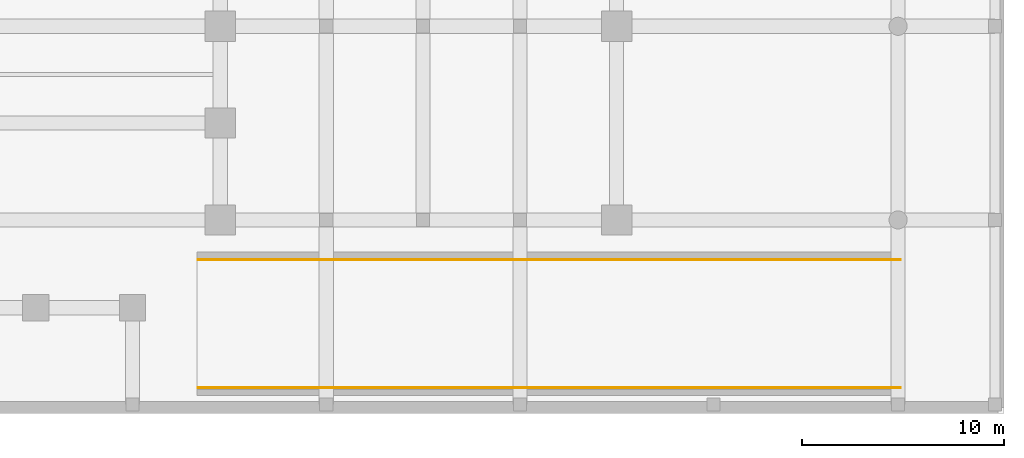
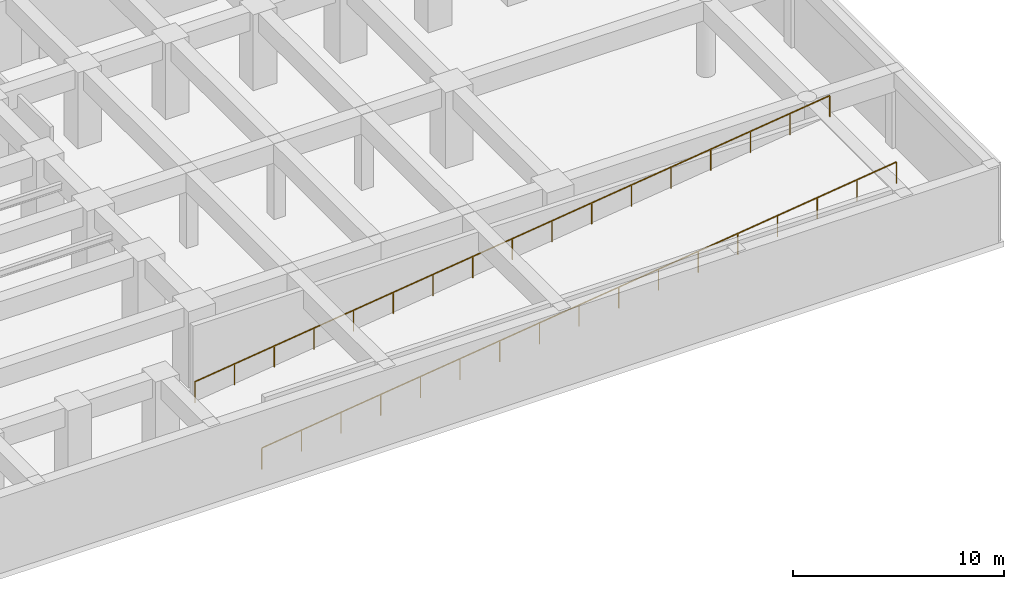
# One storey, part 5 of 6: 2 railings.
"""IFC4 building model written with IfcOpenShell, lengths in metres."""

from ifc_helpers import new_model, si_unit, direction, frame, origin, origin_2d, place, context, subcontext, project, spatial, rectangle, extrude, material, type_object, element, save


model = new_model("IFC4")

# Units and contexts
model_context = context("Model", 3, precision=1e-05, world=origin(), true_north=direction((0.0, 1.0)))
body_context = subcontext(model_context, "Body", "Model", "MODEL_VIEW")
ifc_project = project(units=[si_unit("LENGTHUNIT", "METRE"), si_unit("AREAUNIT", "SQUARE_METRE"), si_unit("VOLUMEUNIT", "CUBIC_METRE"), si_unit("PLANEANGLEUNIT", "RADIAN"), si_unit("MASSUNIT", "GRAM", prefix="KILO")], contexts=[model_context])

# Site, building, storey
site_placement = place(None, origin())
site = spatial("IfcSite", under=ifc_project, at=site_placement, CompositionType="ELEMENT")
building_placement = place(site_placement, origin())
building = spatial("IfcBuilding", under=site, at=building_placement, Name="Orvandelia Arch Residences", CompositionType="ELEMENT")
storey_placement = place(building_placement, frame((0.0, 0.0, -4.39990234375)))
storey = spatial("IfcBuildingStorey", under=building, at=storey_placement, Name="B1", CompositionType="ELEMENT", Elevation=-4.39990234375)

# Railings
ifc_material = material(Name="Marine-Grade Stainless Steel 316", Category="steel")
railing_type = type_object("IfcRailingType", Name="GRD-TERR-1250", PredefinedType="GUARDRAIL", material=ifc_material)
railing_1_placement = place(storey_placement, frame((22.449951171875, 1.280029296875, 0.0)))
element("IfcRailing", 1, at=railing_1_placement, inside=storey, type_object=railing_type, Name="Vehicle Ramp South Safety Barrier B1", PredefinedType="GUARDRAIL", context=body_context, shape_type="SweptSolid", body=[
    extrude(rectangle(XDim=0.048095703125, YDim=0.048095703125, at=origin_2d()), frame((0.0, 0.0, 1.22607421875), z_axis=(0.992101814582, 0.0, 0.125435200415), x_axis=(0.0, 1.0, 0.0)), (0.0, 0.0, 1.0), 35.0771484375),
    extrude(rectangle(XDim=0.0419921875, YDim=0.0419921875, at=origin_2d()), origin(), (0.0, 0.0, 1.0), 1.201904296875),
    extrude(rectangle(XDim=0.0419921875, YDim=0.0419921875, at=origin_2d()), frame((2.175048828125, 0.0, 0.27490234375)), (0.0, 0.0, 1.0), 1.201904296875),
    extrude(rectangle(XDim=0.0419921875, YDim=0.0419921875, at=origin_2d()), frame((4.35009765625, 0.0, 0.550048828125)), (0.0, 0.0, 1.0), 1.201904296875),
    extrude(rectangle(XDim=0.0419921875, YDim=0.0419921875, at=origin_2d()), frame((6.52490234375, 0.0, 0.824951171875)), (0.0, 0.0, 1.0), 1.201904296875),
    extrude(rectangle(XDim=0.0419921875, YDim=0.0419921875, at=origin_2d()), frame((8.699951171875, 0.0, 1.10009765625)), (0.0, 0.0, 1.0), 1.201904296875),
    extrude(rectangle(XDim=0.0419921875, YDim=0.0419921875, at=origin_2d()), frame((10.875, 0.0, 1.375)), (0.0, 0.0, 1.0), 1.201904296875),
    extrude(rectangle(XDim=0.0419921875, YDim=0.0419921875, at=origin_2d()), frame((13.050048828125, 0.0, 1.64990234375)), (0.0, 0.0, 1.0), 1.201904296875),
    extrude(rectangle(XDim=0.0419921875, YDim=0.0419921875, at=origin_2d()), frame((15.22509765625, 0.0, 1.925048828125)), (0.0, 0.0, 1.0), 1.201904296875),
    extrude(rectangle(XDim=0.0419921875, YDim=0.0419921875, at=origin_2d()), frame((17.39990234375, 0.0, 2.199951171875)), (0.0, 0.0, 1.0), 1.201904296875),
    extrude(rectangle(XDim=0.0419921875, YDim=0.0419921875, at=origin_2d()), frame((19.574951171875, 0.0, 2.474853515625)), (0.0, 0.0, 1.0), 1.201904296875),
    extrude(rectangle(XDim=0.0419921875, YDim=0.0419921875, at=origin_2d()), frame((21.75, 0.0, 2.75)), (0.0, 0.0, 1.0), 1.201904296875),
    extrude(rectangle(XDim=0.0419921875, YDim=0.0419921875, at=origin_2d()), frame((23.925048828125, 0.0, 3.02490234375)), (0.0, 0.0, 1.0), 1.201904296875),
    extrude(rectangle(XDim=0.0419921875, YDim=0.0419921875, at=origin_2d()), frame((26.10009765625, 0.0, 3.2998046875)), (0.0, 0.0, 1.0), 1.201904296875),
    extrude(rectangle(XDim=0.0419921875, YDim=0.0419921875, at=origin_2d()), frame((28.275146484375, 0.0, 3.574951171875)), (0.0, 0.0, 1.0), 1.201904296875),
    extrude(rectangle(XDim=0.0419921875, YDim=0.0419921875, at=origin_2d()), frame((30.449951171875, 0.0, 3.849853515625)), (0.0, 0.0, 1.0), 1.201904296875),
    extrude(rectangle(XDim=0.0419921875, YDim=0.0419921875, at=origin_2d()), frame((32.625, 0.0, 4.125)), (0.0, 0.0, 1.0), 1.201904296875),
    extrude(rectangle(XDim=0.0419921875, YDim=0.0419921875, at=origin_2d()), frame((34.800048828125, 0.0, 4.39990234375)), (0.0, 0.0, 1.0), 1.201904296875),
])
railing_2_placement = place(storey_placement, frame((22.449951171875, 7.6201171875, 0.0)))
element("IfcRailing", 2, at=railing_2_placement, inside=storey, type_object=railing_type, Name="Vehicle Ramp North Safety Barrier B1", PredefinedType="GUARDRAIL", context=body_context, shape_type="SweptSolid", body=[
    extrude(rectangle(XDim=0.048095703125, YDim=0.048095703125, at=origin_2d()), frame((0.0, 0.0, 1.22607421875), z_axis=(0.992101814582, 0.0, 0.125435200415), x_axis=(0.0, 1.0, 0.0)), (0.0, 0.0, 1.0), 35.0771484375),
    extrude(rectangle(XDim=0.0419921875, YDim=0.0419921875, at=origin_2d()), origin(), (0.0, 0.0, 1.0), 1.201904296875),
    extrude(rectangle(XDim=0.0419921875, YDim=0.0419921875, at=origin_2d()), frame((2.175048828125, 0.0, 0.27490234375)), (0.0, 0.0, 1.0), 1.201904296875),
    extrude(rectangle(XDim=0.0419921875, YDim=0.0419921875, at=origin_2d()), frame((4.35009765625, 0.0, 0.550048828125)), (0.0, 0.0, 1.0), 1.201904296875),
    extrude(rectangle(XDim=0.0419921875, YDim=0.0419921875, at=origin_2d()), frame((6.52490234375, 0.0, 0.824951171875)), (0.0, 0.0, 1.0), 1.201904296875),
    extrude(rectangle(XDim=0.0419921875, YDim=0.0419921875, at=origin_2d()), frame((8.699951171875, 0.0, 1.10009765625)), (0.0, 0.0, 1.0), 1.201904296875),
    extrude(rectangle(XDim=0.0419921875, YDim=0.0419921875, at=origin_2d()), frame((10.875, 0.0, 1.375)), (0.0, 0.0, 1.0), 1.201904296875),
    extrude(rectangle(XDim=0.0419921875, YDim=0.0419921875, at=origin_2d()), frame((13.050048828125, 0.0, 1.64990234375)), (0.0, 0.0, 1.0), 1.201904296875),
    extrude(rectangle(XDim=0.0419921875, YDim=0.0419921875, at=origin_2d()), frame((15.22509765625, 0.0, 1.925048828125)), (0.0, 0.0, 1.0), 1.201904296875),
    extrude(rectangle(XDim=0.0419921875, YDim=0.0419921875, at=origin_2d()), frame((17.39990234375, 0.0, 2.199951171875)), (0.0, 0.0, 1.0), 1.201904296875),
    extrude(rectangle(XDim=0.0419921875, YDim=0.0419921875, at=origin_2d()), frame((19.574951171875, 0.0, 2.474853515625)), (0.0, 0.0, 1.0), 1.201904296875),
    extrude(rectangle(XDim=0.0419921875, YDim=0.0419921875, at=origin_2d()), frame((21.75, 0.0, 2.75)), (0.0, 0.0, 1.0), 1.201904296875),
    extrude(rectangle(XDim=0.0419921875, YDim=0.0419921875, at=origin_2d()), frame((23.925048828125, 0.0, 3.02490234375)), (0.0, 0.0, 1.0), 1.201904296875),
    extrude(rectangle(XDim=0.0419921875, YDim=0.0419921875, at=origin_2d()), frame((26.10009765625, 0.0, 3.2998046875)), (0.0, 0.0, 1.0), 1.201904296875),
    extrude(rectangle(XDim=0.0419921875, YDim=0.0419921875, at=origin_2d()), frame((28.275146484375, 0.0, 3.574951171875)), (0.0, 0.0, 1.0), 1.201904296875),
    extrude(rectangle(XDim=0.0419921875, YDim=0.0419921875, at=origin_2d()), frame((30.449951171875, 0.0, 3.849853515625)), (0.0, 0.0, 1.0), 1.201904296875),
    extrude(rectangle(XDim=0.0419921875, YDim=0.0419921875, at=origin_2d()), frame((32.625, 0.0, 4.125)), (0.0, 0.0, 1.0), 1.201904296875),
    extrude(rectangle(XDim=0.0419921875, YDim=0.0419921875, at=origin_2d()), frame((34.800048828125, 0.0, 4.39990234375)), (0.0, 0.0, 1.0), 1.201904296875),
])

save(model, "model.ifc")
